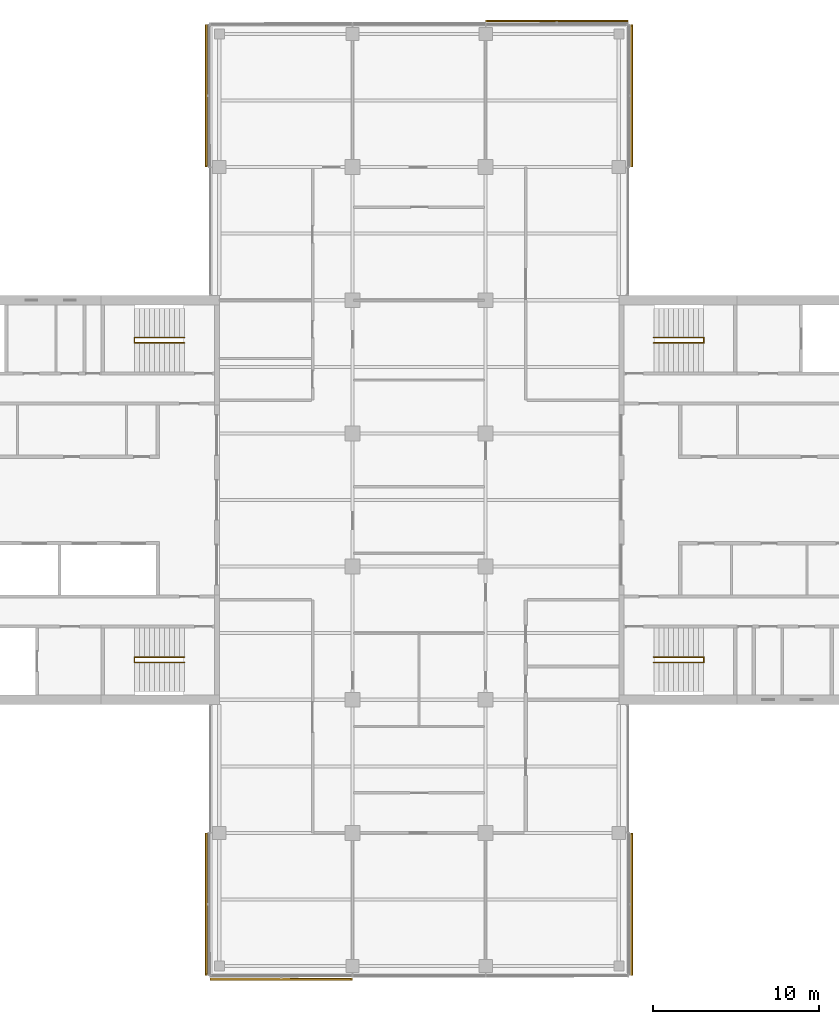
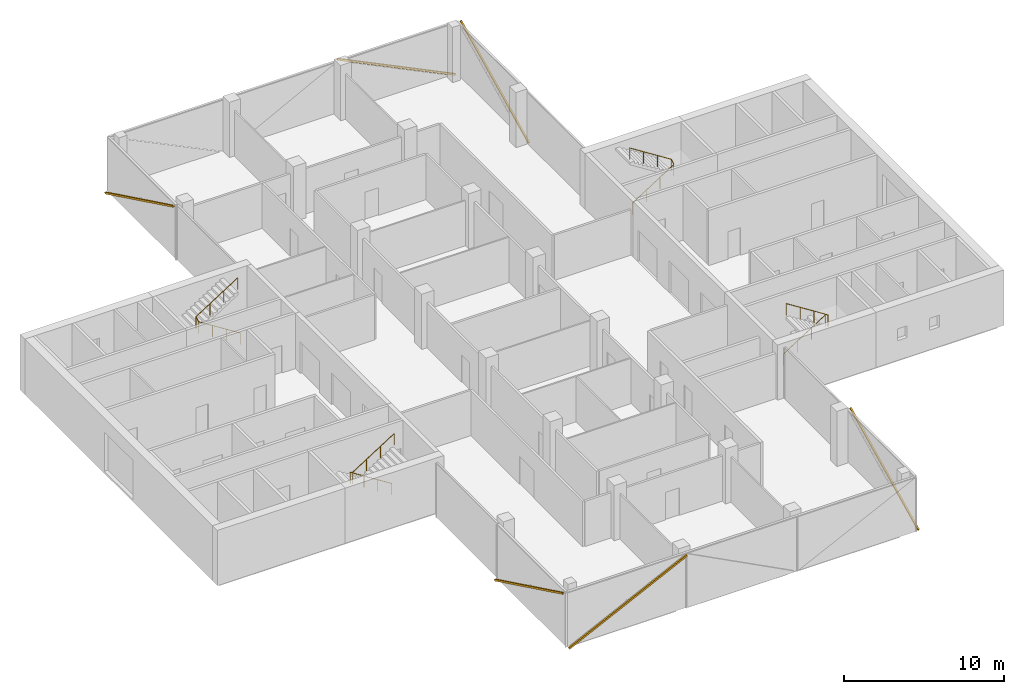
# One storey, part 15 of 15: 6 shading devices, 4 railings, 6 elements without a shape of their own.
"""IFC4 building model written with IfcOpenShell, lengths in metres."""

from ifc_helpers import new_model, si_unit, direction, frame, origin, origin_2d, place, context, subcontext, project, spatial, rectangle, circle, extrude, material, material_profile, profile_set, type_object, element, aggregate, save


model = new_model("IFC4")

# Units and contexts
model_context = context("Model", 3, precision=1e-05, world=origin(), true_north=direction((0.0, 1.0)))
body_context = subcontext(model_context, "Body", "Model", "MODEL_VIEW")
ifc_project = project(units=[si_unit("LENGTHUNIT", "METRE"), si_unit("AREAUNIT", "SQUARE_METRE"), si_unit("VOLUMEUNIT", "CUBIC_METRE"), si_unit("PLANEANGLEUNIT", "RADIAN"), si_unit("MASSUNIT", "GRAM", prefix="KILO")], contexts=[model_context])

# Site, building, storey
site_placement = place(None, origin())
site = spatial("IfcSite", under=ifc_project, at=site_placement, CompositionType="ELEMENT")
building_placement = place(site_placement, origin())
building = spatial("IfcBuilding", under=site, at=building_placement, Name="Crosswind Convention Tower", CompositionType="ELEMENT")
storey_placement = place(building_placement, frame((0.0, 0.0, 187.300048828125)))
storey = spatial("IfcBuildingStorey", under=building, at=storey_placement, Name="L39", CompositionType="ELEMENT", Elevation=187.300048828125)

# Railings
ifc_material_1 = material(Name="Stainless steel", Category="steel")
railing_type = type_object("IfcRailingType", Name="Stair handrail 900", PredefinedType="HANDRAIL", material=ifc_material_1)
railing_1_placement = place(storey_placement, frame((139.10009765625, 109.43994140625, 0.19091796875)))
element("IfcRailing", 1, at=railing_1_placement, inside=storey, type_object=railing_type, Name="Stair ST1 handrail L39", PredefinedType="HANDRAIL", context=body_context, shape_type="SweptSolid", body=[
    extrude(circle(Radius=0.02392578125, at=origin_2d()), frame((0.0, 0.0, 0.8759765625), z_axis=(0.843681277094, 0.0, 0.536844393359), x_axis=(0.0, 1.0, 0.0)), (0.0, 0.0, 1.0), 3.555908203125),
    extrude(circle(Radius=0.02392578125, at=origin_2d()), frame((3.0, 0.0, 2.78466796875), z_axis=(0.0, 0.858819504967, 0.512278301208), x_axis=(-1.0, 0.0, 0.0)), (0.0, 0.0, 1.0), 0.372802734375),
    extrude(circle(Radius=0.02392578125, at=origin_2d()), frame((3.0, 0.320068359375, 2.9755859375), z_axis=(-0.843650179428, 0.0, 0.536893261973), x_axis=(0.0, -1.0, 0.0)), (0.0, 0.0, 1.0), 3.555908203125),
    extrude(circle(Radius=0.02099609375, at=origin_2d()), origin(), (0.0, 0.0, 1.0), 0.851806640625),
    extrude(circle(Radius=0.02099609375, at=origin_2d()), frame((1.0, 0.0, 0.63623046875)), (0.0, 0.0, 1.0), 0.851806640625),
    extrude(circle(Radius=0.02099609375, at=origin_2d()), frame((2.0, 0.0, 1.272705078125)), (0.0, 0.0, 1.0), 0.851806640625),
    extrude(circle(Radius=0.02099609375, at=origin_2d()), frame((3.0, 0.0, 1.908935546875)), (0.0, 0.0, 1.0), 0.851806640625),
    extrude(circle(Radius=0.02099609375, at=origin_2d()), frame((3.0, 0.320068359375, 2.099853515625)), (0.0, 0.0, 1.0), 0.851806640625),
    extrude(circle(Radius=0.02099609375, at=origin_2d()), frame((2.0, 0.320068359375, 2.736328125)), (0.0, 0.0, 1.0), 0.851806640625),
    extrude(circle(Radius=0.02099609375, at=origin_2d()), frame((1.0, 0.320068359375, 3.37255859375)), (0.0, 0.0, 1.0), 0.851806640625),
    extrude(circle(Radius=0.02099609375, at=origin_2d()), frame((0.0, 0.320068359375, 4.009033203125)), (0.0, 0.0, 1.0), 0.851806640625),
])
railing_2_placement = place(storey_placement, frame((139.10009765625, 90.56005859375, 0.19091796875)))
element("IfcRailing", 2, at=railing_2_placement, inside=storey, type_object=railing_type, Name="Stair ST2 handrail L39", PredefinedType="HANDRAIL", context=body_context, shape_type="SweptSolid", body=[
    extrude(circle(Radius=0.02392578125, at=origin_2d()), frame((0.0, 0.0, 0.8759765625), z_axis=(0.843681277094, 0.0, 0.536844393359), x_axis=(0.0, 1.0, 0.0)), (0.0, 0.0, 1.0), 3.555908203125),
    extrude(circle(Radius=0.02392578125, at=origin_2d()), frame((3.0, 0.0, 2.78466796875), z_axis=(0.0, -0.858819504967, 0.512278301208), x_axis=(1.0, 0.0, 0.0)), (0.0, 0.0, 1.0), 0.372802734375),
    extrude(circle(Radius=0.02392578125, at=origin_2d()), frame((3.0, -0.320068359375, 2.9755859375), z_axis=(-0.843650179428, 0.0, 0.536893261973), x_axis=(0.0, -1.0, 0.0)), (0.0, 0.0, 1.0), 3.555908203125),
    extrude(circle(Radius=0.02099609375, at=origin_2d()), origin(), (0.0, 0.0, 1.0), 0.851806640625),
    extrude(circle(Radius=0.02099609375, at=origin_2d()), frame((1.0, 0.0, 0.63623046875)), (0.0, 0.0, 1.0), 0.851806640625),
    extrude(circle(Radius=0.02099609375, at=origin_2d()), frame((2.0, 0.0, 1.272705078125)), (0.0, 0.0, 1.0), 0.851806640625),
    extrude(circle(Radius=0.02099609375, at=origin_2d()), frame((3.0, 0.0, 1.908935546875)), (0.0, 0.0, 1.0), 0.851806640625),
    extrude(circle(Radius=0.02099609375, at=origin_2d()), frame((3.0, -0.320068359375, 2.099853515625)), (0.0, 0.0, 1.0), 0.851806640625),
    extrude(circle(Radius=0.02099609375, at=origin_2d()), frame((2.0, -0.320068359375, 2.736328125)), (0.0, 0.0, 1.0), 0.851806640625),
    extrude(circle(Radius=0.02099609375, at=origin_2d()), frame((1.0, -0.320068359375, 3.37255859375)), (0.0, 0.0, 1.0), 0.851806640625),
    extrude(circle(Radius=0.02099609375, at=origin_2d()), frame((0.0, -0.320068359375, 4.009033203125)), (0.0, 0.0, 1.0), 0.851806640625),
])
railing_3_placement = place(storey_placement, frame((110.89990234375, 90.56005859375, 0.19091796875)))
element("IfcRailing", 3, at=railing_3_placement, inside=storey, type_object=railing_type, Name="Stair ST3 handrail L39", PredefinedType="HANDRAIL", context=body_context, shape_type="SweptSolid", body=[
    extrude(circle(Radius=0.02392578125, at=origin_2d()), frame((0.0, 0.0, 0.8759765625), z_axis=(-0.843681277094, 0.0, 0.536844393359), x_axis=(0.0, -1.0, 0.0)), (0.0, 0.0, 1.0), 3.555908203125),
    extrude(circle(Radius=0.02392578125, at=origin_2d()), frame((-3.0, 0.0, 2.78466796875), z_axis=(0.0, -0.858819504967, 0.512278301208), x_axis=(1.0, 0.0, 0.0)), (0.0, 0.0, 1.0), 0.372802734375),
    extrude(circle(Radius=0.02392578125, at=origin_2d()), frame((-3.0, -0.320068359375, 2.9755859375), z_axis=(0.843650179428, 0.0, 0.536893261973), x_axis=(0.0, 1.0, 0.0)), (0.0, 0.0, 1.0), 3.555908203125),
    extrude(circle(Radius=0.02099609375, at=origin_2d()), origin(), (0.0, 0.0, 1.0), 0.851806640625),
    extrude(circle(Radius=0.02099609375, at=origin_2d()), frame((-1.0, 0.0, 0.63623046875)), (0.0, 0.0, 1.0), 0.851806640625),
    extrude(circle(Radius=0.02099609375, at=origin_2d()), frame((-2.0, 0.0, 1.272705078125)), (0.0, 0.0, 1.0), 0.851806640625),
    extrude(circle(Radius=0.02099609375, at=origin_2d()), frame((-3.0, 0.0, 1.908935546875)), (0.0, 0.0, 1.0), 0.851806640625),
    extrude(circle(Radius=0.02099609375, at=origin_2d()), frame((-3.0, -0.320068359375, 2.099853515625)), (0.0, 0.0, 1.0), 0.851806640625),
    extrude(circle(Radius=0.02099609375, at=origin_2d()), frame((-2.0, -0.320068359375, 2.736328125)), (0.0, 0.0, 1.0), 0.851806640625),
    extrude(circle(Radius=0.02099609375, at=origin_2d()), frame((-1.0, -0.320068359375, 3.37255859375)), (0.0, 0.0, 1.0), 0.851806640625),
    extrude(circle(Radius=0.02099609375, at=origin_2d()), frame((0.0, -0.320068359375, 4.009033203125)), (0.0, 0.0, 1.0), 0.851806640625),
])
railing_4_placement = place(storey_placement, frame((110.89990234375, 109.43994140625, 0.19091796875)))
element("IfcRailing", 4, at=railing_4_placement, inside=storey, type_object=railing_type, Name="Stair ST4 handrail L39", PredefinedType="HANDRAIL", context=body_context, shape_type="SweptSolid", body=[
    extrude(circle(Radius=0.02392578125, at=origin_2d()), frame((0.0, 0.0, 0.8759765625), z_axis=(-0.843681277094, 0.0, 0.536844393359), x_axis=(0.0, -1.0, 0.0)), (0.0, 0.0, 1.0), 3.555908203125),
    extrude(circle(Radius=0.02392578125, at=origin_2d()), frame((-3.0, 0.0, 2.78466796875), z_axis=(0.0, 0.858819504967, 0.512278301208), x_axis=(-1.0, 0.0, 0.0)), (0.0, 0.0, 1.0), 0.372802734375),
    extrude(circle(Radius=0.02392578125, at=origin_2d()), frame((-3.0, 0.320068359375, 2.9755859375), z_axis=(0.843650179428, 0.0, 0.536893261973), x_axis=(0.0, 1.0, 0.0)), (0.0, 0.0, 1.0), 3.555908203125),
    extrude(circle(Radius=0.02099609375, at=origin_2d()), origin(), (0.0, 0.0, 1.0), 0.851806640625),
    extrude(circle(Radius=0.02099609375, at=origin_2d()), frame((-1.0, 0.0, 0.63623046875)), (0.0, 0.0, 1.0), 0.851806640625),
    extrude(circle(Radius=0.02099609375, at=origin_2d()), frame((-2.0, 0.0, 1.272705078125)), (0.0, 0.0, 1.0), 0.851806640625),
    extrude(circle(Radius=0.02099609375, at=origin_2d()), frame((-3.0, 0.0, 1.908935546875)), (0.0, 0.0, 1.0), 0.851806640625),
    extrude(circle(Radius=0.02099609375, at=origin_2d()), frame((-3.0, 0.320068359375, 2.099853515625)), (0.0, 0.0, 1.0), 0.851806640625),
    extrude(circle(Radius=0.02099609375, at=origin_2d()), frame((-2.0, 0.320068359375, 2.736328125)), (0.0, 0.0, 1.0), 0.851806640625),
    extrude(circle(Radius=0.02099609375, at=origin_2d()), frame((-1.0, 0.320068359375, 3.37255859375)), (0.0, 0.0, 1.0), 0.851806640625),
    extrude(circle(Radius=0.02099609375, at=origin_2d()), frame((0.0, 0.320068359375, 4.009033203125)), (0.0, 0.0, 1.0), 0.851806640625),
])

# Curtain wall, shading device
ifc_material_2 = material(Name="Aluminium unitised curtain wall", Category="aluminium")
curtain_wall_type = type_object("IfcCurtainWallType", Name="OFFICE UNITISED WALL 220", PredefinedType="USERDEFINED", material=ifc_material_2)
curtain_wall_1_placement = place(storey_placement, origin())
curtain_wall_1 = element("IfcCurtainWall", 5, at=curtain_wall_1_placement, inside=storey, type_object=curtain_wall_type, Name="CW3 L39 N-E 1", ObjectType="UNITISED", PredefinedType="USERDEFINED")
ifc_material_3 = material(Name="Extruded terracotta", Category="masonry")
ifc_material_profile = material_profile(ifc_material_3, rectangle(XDim=0.110107421875, YDim=0.1298828125, at=origin_2d()), Name="TC 110X130")
ifc_profile_set = profile_set([ifc_material_profile], Name="Extruded terracotta")
shading_device_type = type_object("IfcShadingDeviceType", Name="TERRACOTTA BAGUETTE 130X110", PredefinedType="USERDEFINED", material=ifc_profile_set)
shading_device_1_placement = place(storey_placement, frame((137.781005859375, 120.034912109375, -0.300048828125), z_axis=(0.0, 0.899251034354, 0.437432940248), x_axis=(-1.0, 0.0, 0.0)))
shading_device_1 = element("IfcShadingDevice", 6, at=shading_device_1_placement, type_object=shading_device_type, Name="CW3 terracotta baguette 1", ObjectType="BAGUETTE", PredefinedType="USERDEFINED", context=body_context, shape_type="SweptSolid", body=[
    extrude(rectangle(XDim=0.110107421875, YDim=0.1298828125, at=origin_2d()), origin(), (0.0, 0.0, 1.0), 9.441162109375),
])
aggregate(curtain_wall_1, [shading_device_1])

curtain_wall_2_placement = place(storey_placement, origin())
curtain_wall_2 = element("IfcCurtainWall", 7, at=curtain_wall_2_placement, inside=storey, type_object=curtain_wall_type, Name="CW3 L39 N-TIP 1", ObjectType="UNITISED", PredefinedType="USERDEFINED")
shading_device_2_placement = place(storey_placement, frame((137.52490234375, 128.781005859375, -0.300048828125), z_axis=(-0.899251034354, 0.0, 0.437432940248), x_axis=(0.0, -1.0, 0.0)))
shading_device_2 = element("IfcShadingDevice", 8, at=shading_device_2_placement, type_object=shading_device_type, Name="CW3 terracotta baguette 1", ObjectType="BAGUETTE", PredefinedType="USERDEFINED", context=body_context, shape_type="SweptSolid", body=[
    extrude(rectangle(XDim=0.110107421875, YDim=0.1298828125, at=origin_2d()), origin(), (0.0, 0.0, 1.0), 9.441162109375),
])
aggregate(curtain_wall_2, [shading_device_2])

curtain_wall_3_placement = place(storey_placement, origin())
curtain_wall_3 = element("IfcCurtainWall", 9, at=curtain_wall_3_placement, inside=storey, type_object=curtain_wall_type, Name="CW3 L39 N-W 1", ObjectType="UNITISED", PredefinedType="USERDEFINED")
shading_device_3_placement = place(storey_placement, frame((112.218994140625, 128.52490234375, -0.300048828125), z_axis=(0.0, -0.899251034354, 0.437432940248), x_axis=(1.0, 0.0, 0.0)))
shading_device_3 = element("IfcShadingDevice", 10, at=shading_device_3_placement, type_object=shading_device_type, Name="CW3 terracotta baguette 1", ObjectType="BAGUETTE", PredefinedType="USERDEFINED", context=body_context, shape_type="SweptSolid", body=[
    extrude(rectangle(XDim=0.110107421875, YDim=0.1298828125, at=origin_2d()), origin(), (0.0, 0.0, 1.0), 9.441162109375),
])
aggregate(curtain_wall_3, [shading_device_3])

curtain_wall_4_placement = place(storey_placement, origin())
curtain_wall_4 = element("IfcCurtainWall", 11, at=curtain_wall_4_placement, inside=storey, type_object=curtain_wall_type, Name="CW3 L39 S-W 1", ObjectType="UNITISED", PredefinedType="USERDEFINED")
shading_device_4_placement = place(storey_placement, frame((112.218994140625, 79.965087890625, -0.300048828125), z_axis=(0.0, -0.899251034354, 0.437432940248), x_axis=(1.0, 0.0, 0.0)))
shading_device_4 = element("IfcShadingDevice", 12, at=shading_device_4_placement, type_object=shading_device_type, Name="CW3 terracotta baguette 1", ObjectType="BAGUETTE", PredefinedType="USERDEFINED", context=body_context, shape_type="SweptSolid", body=[
    extrude(rectangle(XDim=0.110107421875, YDim=0.1298828125, at=origin_2d()), origin(), (0.0, 0.0, 1.0), 9.441162109375),
])
aggregate(curtain_wall_4, [shading_device_4])

curtain_wall_5_placement = place(storey_placement, origin())
curtain_wall_5 = element("IfcCurtainWall", 13, at=curtain_wall_5_placement, inside=storey, type_object=curtain_wall_type, Name="CW3 L39 S-TIP 1", ObjectType="UNITISED", PredefinedType="USERDEFINED")
shading_device_5_placement = place(storey_placement, frame((112.47509765625, 71.218994140625, -0.300048828125), z_axis=(0.899251034354, 0.0, 0.437432940248), x_axis=(0.0, 1.0, 0.0)))
shading_device_5 = element("IfcShadingDevice", 14, at=shading_device_5_placement, type_object=shading_device_type, Name="CW3 terracotta baguette 1", ObjectType="BAGUETTE", PredefinedType="USERDEFINED", context=body_context, shape_type="SweptSolid", body=[
    extrude(rectangle(XDim=0.110107421875, YDim=0.1298828125, at=origin_2d()), origin(), (0.0, 0.0, 1.0), 9.441162109375),
])
aggregate(curtain_wall_5, [shading_device_5])

curtain_wall_6_placement = place(storey_placement, origin())
curtain_wall_6 = element("IfcCurtainWall", 15, at=curtain_wall_6_placement, inside=storey, type_object=curtain_wall_type, Name="CW3 L39 S-E 1", ObjectType="UNITISED", PredefinedType="USERDEFINED")
shading_device_6_placement = place(storey_placement, frame((137.781005859375, 71.47509765625, -0.300048828125), z_axis=(0.0, 0.899251034354, 0.437432940248), x_axis=(-1.0, 0.0, 0.0)))
shading_device_6 = element("IfcShadingDevice", 16, at=shading_device_6_placement, type_object=shading_device_type, Name="CW3 terracotta baguette 1", ObjectType="BAGUETTE", PredefinedType="USERDEFINED", context=body_context, shape_type="SweptSolid", body=[
    extrude(rectangle(XDim=0.110107421875, YDim=0.1298828125, at=origin_2d()), origin(), (0.0, 0.0, 1.0), 9.441162109375),
])
aggregate(curtain_wall_6, [shading_device_6])

save(model, "model.ifc")
